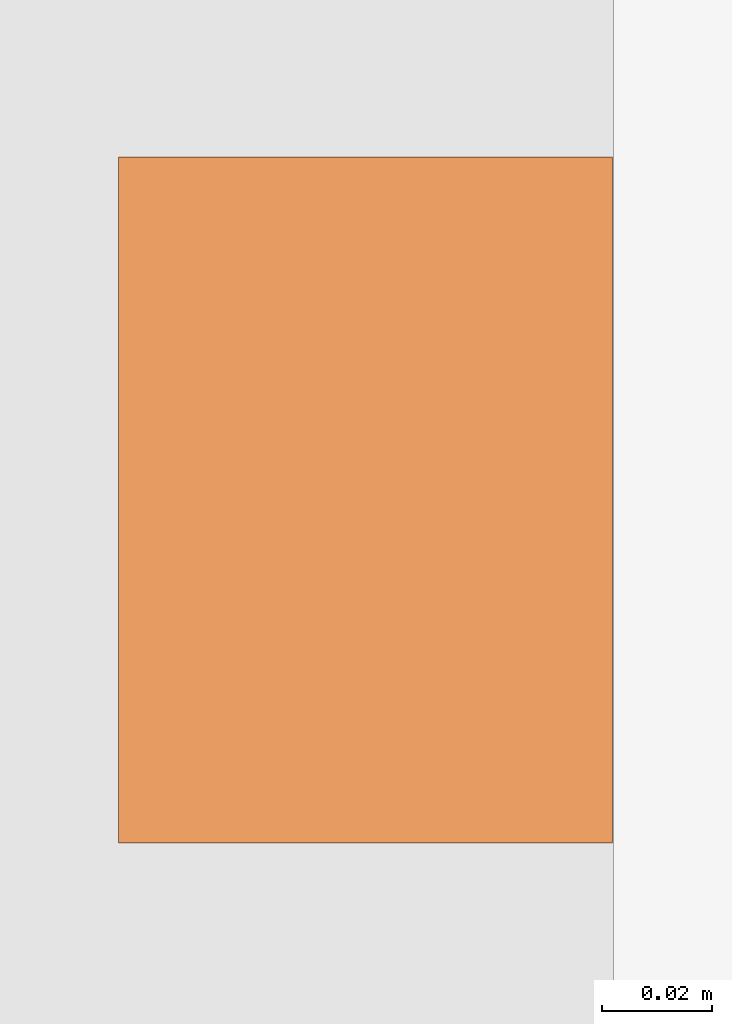
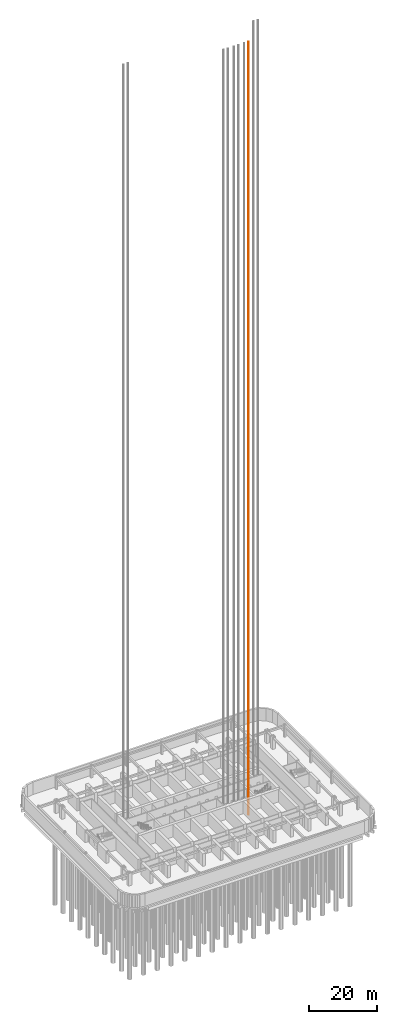
# One storey, part 24 of 28: 1 proxy.
"""IFC4 building model written with IfcOpenShell, lengths in metres."""

from ifc_helpers import new_model, si_unit, direction, frame, origin, origin_2d, place, context, subcontext, project, spatial, rectangle, extrude, material, element, save


model = new_model("IFC4")

# Units and contexts
model_context = context("Model", 3, precision=1e-05, world=origin(), true_north=direction((0.0, 1.0)))
body_context = subcontext(model_context, "Body", "Model", "MODEL_VIEW")
ifc_project = project(units=[si_unit("LENGTHUNIT", "METRE"), si_unit("AREAUNIT", "SQUARE_METRE"), si_unit("VOLUMEUNIT", "CUBIC_METRE"), si_unit("PLANEANGLEUNIT", "RADIAN"), si_unit("MASSUNIT", "GRAM", prefix="KILO")], contexts=[model_context])

# Site, building, storey
site_placement = place(None, origin())
site = spatial("IfcSite", under=ifc_project, at=site_placement, CompositionType="ELEMENT")
building_placement = place(site_placement, origin())
building = spatial("IfcBuilding", under=site, at=building_placement, Name="Orbita Commons", CompositionType="ELEMENT")
storey_placement = place(building_placement, frame((0.0, 0.0, -9.0)))
storey = spatial("IfcBuildingStorey", under=building, at=storey_placement, Name="L-02", CompositionType="ELEMENT", Elevation=-9.0)

# Proxy
ifc_material = material(Name="Machined steel guide rail", Category="steel")
placement = place(storey_placement, frame((56.2333984375, 28.10009765625, 0.0), z_axis=(0.0, 0.0, 1.0), x_axis=(1.0, 0.0, 0.0)))
proxy_placement = place(placement, frame((0.7548828125, 0.0, -3.199951171875)))
element("IfcBuildingElementProxy", 1, at=proxy_placement, inside=storey, material=ifc_material, Name="SV3 guide rail 2", ObjectType="GUIDE RAIL", PredefinedType="USERDEFINED", context=body_context, shape_type="SweptSolid", body=[
    extrude(rectangle(XDim=0.09, YDim=0.125, at=origin_2d()), origin(), (0.0, 0.0, 1.0), 279.0),
])

save(model, "model.ifc")
